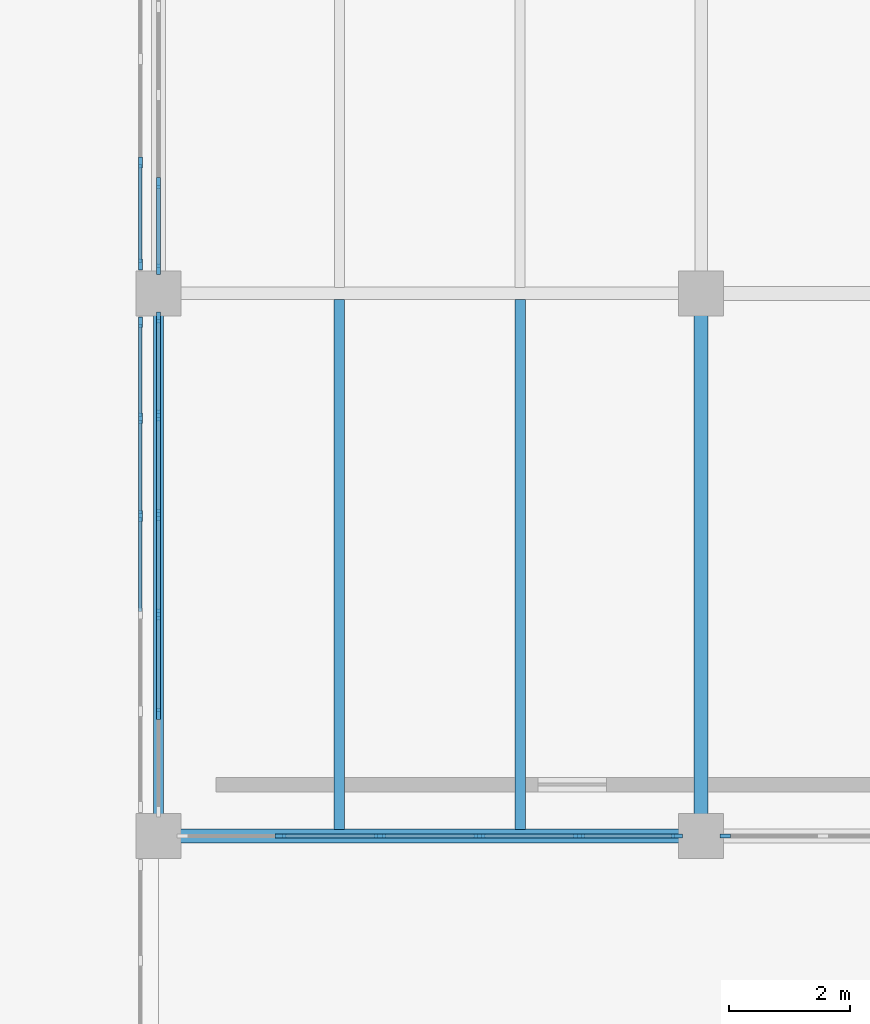
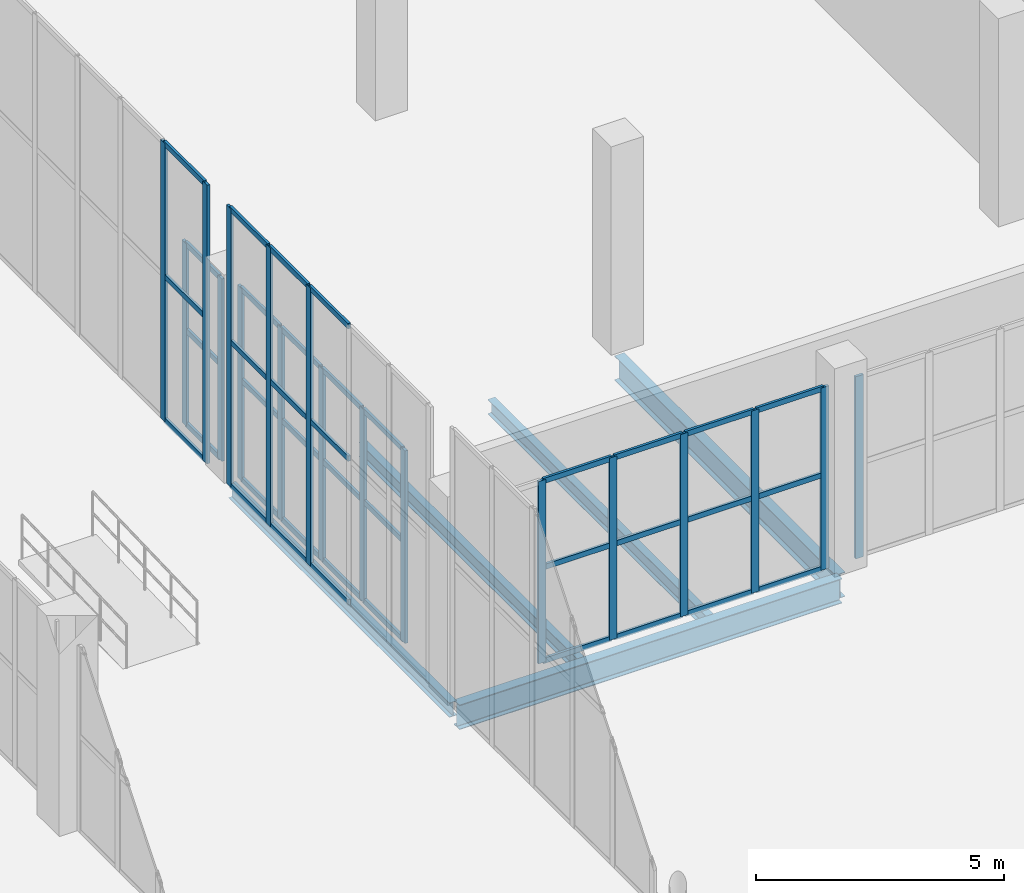
# One storey, part 52 of 103: 57 members, 5 beams, 6 elements without a shape of their own.
"""IFC4 building model written with IfcOpenShell, lengths in metres."""

from ifc_helpers import new_model, si_unit, direction, frame, origin, origin_2d, place, context, subcontext, project, spatial, rectangle, i_section, extrude, material, layer, layer_set, material_profile, profile_set, type_object, element, aggregate, save


model = new_model("IFC4")

# Units and contexts
model_context = context("Model", 3, precision=1e-05, world=origin(), true_north=direction((0.0, 1.0)))
body_context = subcontext(model_context, "Body", "Model", "MODEL_VIEW")
ifc_project = project(units=[si_unit("LENGTHUNIT", "METRE"), si_unit("AREAUNIT", "SQUARE_METRE"), si_unit("VOLUMEUNIT", "CUBIC_METRE"), si_unit("PLANEANGLEUNIT", "RADIAN"), si_unit("MASSUNIT", "GRAM", prefix="KILO")], contexts=[model_context])

# Site, building, storey
site_placement = place(None, origin())
site = spatial("IfcSite", under=ifc_project, at=site_placement, CompositionType="ELEMENT")
building_placement = place(site_placement, origin())
building = spatial("IfcBuilding", under=site, at=building_placement, Name="Marnock Terrace Opera House", CompositionType="ELEMENT")
storey_placement = place(building_placement, origin())
storey = spatial("IfcBuildingStorey", under=building, at=storey_placement, Name="L00", CompositionType="ELEMENT", Elevation=0.0)

# Beams
ifc_material_1 = material(Name="Steel Grade 350 (AS/NZS 3679.1)", Category="steel")
ifc_material_profile_1 = material_profile(ifc_material_1, i_section(OverallWidth=0.1708984375, OverallDepth=0.355712890625, WebThickness=0.00732421875, FlangeThickness=0.011474609375, FilletRadius=0.011474609375, at=origin_2d()))
ifc_profile_set_1 = profile_set([ifc_material_profile_1], Name="Steel Grade 350 (AS/NZS 3679.1)")
beam_type_1 = type_object("IfcBeamType", Name="BM-GIRD-360", PredefinedType="BEAM", material=ifc_profile_set_1)
beam_1_placement = place(storey_placement, frame((118.0, 66.050048828125, -0.477783203125), z_axis=(0.0, 1.0, 0.0), x_axis=(-1.0, 0.0, 0.0)))
element("IfcBeam", 1, at=beam_1_placement, inside=storey, type_object=beam_type_1, Name="L00 girder (X=118.0, 66.0..75.0)", PredefinedType="BEAM", context=body_context, shape_type="SweptSolid", body=[
    extrude(i_section(OverallWidth=0.1708984375, OverallDepth=0.355712890625, WebThickness=0.00732421875, FlangeThickness=0.011474609375, FilletRadius=0.011474609375, at=origin_2d()), origin(), (0.0, 0.0, 1.0), 8.89990234375),
])
ifc_material_profile_2 = material_profile(ifc_material_1, i_section(OverallWidth=0.22802734375, OverallDepth=0.60693359375, WebThickness=0.01123046875, FlangeThickness=0.017333984375, FilletRadius=0.013916015625, at=origin_2d()))
ifc_profile_set_2 = profile_set([ifc_material_profile_2], Name="Steel Grade 350 (AS/NZS 3679.1)")
beam_type_2 = type_object("IfcBeamType", Name="BM-GIRD-610B", PredefinedType="BEAM", material=ifc_profile_set_2)
beam_2_placement = place(storey_placement, frame((118.050048828125, 66.0, -0.603515625), z_axis=(1.0, 0.0, 0.0), x_axis=(0.0, 1.0, 0.0)))
element("IfcBeam", 2, at=beam_2_placement, inside=storey, type_object=beam_type_2, Name="L00 girder (118.0..127.0, Y=66.0)", PredefinedType="BEAM", context=body_context, shape_type="SweptSolid", body=[
    extrude(i_section(OverallWidth=0.22802734375, OverallDepth=0.60693359375, WebThickness=0.01123046875, FlangeThickness=0.017333984375, FilletRadius=0.013916015625, at=origin_2d()), origin(), (0.0, 0.0, 1.0), 8.89990234375),
])
ifc_material_profile_3 = material_profile(ifc_material_1, i_section(OverallWidth=0.22802734375, OverallDepth=0.60205078125, WebThickness=0.010498046875, FlangeThickness=0.014892578125, FilletRadius=0.013916015625, at=origin_2d()))
ifc_profile_set_3 = profile_set([ifc_material_profile_3], Name="Steel Grade 350 (AS/NZS 3679.1)")
beam_type_3 = type_object("IfcBeamType", Name="BM-GIRD-610C", PredefinedType="BEAM", material=ifc_profile_set_3)
beam_3_placement = place(storey_placement, frame((127.0, 66.050048828125, -0.60107421875), z_axis=(0.0, 1.0, 0.0), x_axis=(-1.0, 0.0, 0.0)))
element("IfcBeam", 3, at=beam_3_placement, inside=storey, type_object=beam_type_3, Name="L00 girder (X=127.0, 66.0..75.0)", PredefinedType="BEAM", context=body_context, shape_type="SweptSolid", body=[
    extrude(i_section(OverallWidth=0.22802734375, OverallDepth=0.60205078125, WebThickness=0.010498046875, FlangeThickness=0.014892578125, FilletRadius=0.013916015625, at=origin_2d()), origin(), (0.0, 0.0, 1.0), 8.89990234375),
])
ifc_material_profile_4 = material_profile(ifc_material_1, i_section(OverallWidth=0.172119140625, OverallDepth=0.358642578125, WebThickness=0.008056640625, FlangeThickness=0.012939453125, FilletRadius=0.011474609375, at=origin_2d()))
ifc_profile_set_4 = profile_set([ifc_material_profile_4], Name="Steel Grade 350 (AS/NZS 3679.1)")
beam_type_4 = type_object("IfcBeamType", Name="BM-JOIST-360", PredefinedType="JOIST", material=ifc_profile_set_4)
for number, where, z_axis, x_axis, name in (
    (4, (121.0, 66.10888671875, -0.479248046875), (0.0, 1.0, 0.0), (-1.0, 0.0, 0.0), "L00 secondary joist 13.8.1"),
    (5, (124.0, 66.10888671875, -0.479248046875), (0.0, 1.0, 0.0), (-1.0, 0.0, 0.0), "L00 secondary joist 13.8.2"),
):
    element("IfcBeam", number, at=place(storey_placement, frame(where, z_axis=z_axis, x_axis=x_axis)), inside=storey, type_object=beam_type_4, Name=name, PredefinedType="JOIST", context=body_context, shape_type="SweptSolid", body=[
        extrude(i_section(OverallWidth=0.172119140625, OverallDepth=0.358642578125, WebThickness=0.008056640625, FlangeThickness=0.012939453125, FilletRadius=0.011474609375, at=origin_2d()), origin(), (0.0, 0.0, 1.0), 8.79150390625),
    ])

# Curtain wall, members
ifc_material_2 = material(Name="Anodised architectural bronze aluminium framing", Category="aluminium")
ifc_layer_1 = layer(ifc_material_2, 0.159912109375)
ifc_layer_set_1 = layer_set([ifc_layer_1], Name="Anodised architectural bronze aluminium framing")
curtain_wall_type_1 = type_object("IfcCurtainWallType", Name="CW-LOGGIA-86x51", PredefinedType="NOTDEFINED", material=ifc_layer_set_1)
curtain_wall_1_placement = place(storey_placement, origin())
curtain_wall_1 = element("IfcCurtainWall", 6, at=curtain_wall_1_placement, inside=storey, type_object=curtain_wall_type_1, Name="L00 glazed Beaux-Arts colonnade curtain wall CW-V5-L00-CN1", PredefinedType="NOTDEFINED")
ifc_material_profile_5 = material_profile(ifc_material_2, rectangle(XDim=0.06494140625, YDim=0.179931640625, at=origin_2d()))
ifc_profile_set_5 = profile_set([ifc_material_profile_5], Name="Anodised architectural bronze aluminium framing")
member_type_1 = type_object("IfcMemberType", Name="CWM-65x180", PredefinedType="MULLION", material=ifc_profile_set_5)
member_1_placement = place(storey_placement, frame((120.022705078125, 66.0, 0.0), z_axis=(0.0, 0.0, 1.0), x_axis=(0.0, 1.0, 0.0)))
member_1 = element("IfcMember", 7, at=member_1_placement, type_object=member_type_1, Name="CW-96 mullion 2", PredefinedType="MULLION", context=body_context, shape_type="SweptSolid", body=[
    extrude(rectangle(XDim=0.06494140625, YDim=0.179931640625, at=origin_2d()), origin(), (0.0, 0.0, 1.0), 4.48291015625),
])
member_2_placement = place(storey_placement, frame((121.67431640625, 66.0, 0.0), z_axis=(0.0, 0.0, 1.0), x_axis=(0.0, 1.0, 0.0)))
member_2 = element("IfcMember", 8, at=member_2_placement, type_object=member_type_1, Name="CW-96 mullion 3", PredefinedType="MULLION", context=body_context, shape_type="SweptSolid", body=[
    extrude(rectangle(XDim=0.06494140625, YDim=0.179931640625, at=origin_2d()), origin(), (0.0, 0.0, 1.0), 4.48291015625),
])
member_3_placement = place(storey_placement, frame((123.32568359375, 66.0, 0.0), z_axis=(0.0, 0.0, 1.0), x_axis=(0.0, 1.0, 0.0)))
member_3 = element("IfcMember", 9, at=member_3_placement, type_object=member_type_1, Name="CW-96 mullion 4", PredefinedType="MULLION", context=body_context, shape_type="SweptSolid", body=[
    extrude(rectangle(XDim=0.06494140625, YDim=0.179931640625, at=origin_2d()), origin(), (0.0, 0.0, 1.0), 4.48291015625),
])
member_4_placement = place(storey_placement, frame((124.977294921875, 66.0, 0.0), z_axis=(0.0, 0.0, 1.0), x_axis=(0.0, 1.0, 0.0)))
member_4 = element("IfcMember", 10, at=member_4_placement, type_object=member_type_1, Name="CW-96 mullion 5", PredefinedType="MULLION", context=body_context, shape_type="SweptSolid", body=[
    extrude(rectangle(XDim=0.06494140625, YDim=0.179931640625, at=origin_2d()), origin(), (0.0, 0.0, 1.0), 4.48291015625),
])
member_5_placement = place(storey_placement, frame((126.59912109375, 66.0, 0.0), z_axis=(0.0, 0.0, 1.0), x_axis=(0.0, 1.0, 0.0)))
member_5 = element("IfcMember", 11, at=member_5_placement, type_object=member_type_1, Name="CW-96 mullion 6", PredefinedType="MULLION", context=body_context, shape_type="SweptSolid", body=[
    extrude(rectangle(XDim=0.06494140625, YDim=0.179931640625, at=origin_2d()), origin(), (0.0, 0.0, 1.0), 4.48291015625),
])

# Curtain wall, member
curtain_wall_2_placement = place(storey_placement, origin())
curtain_wall_2 = element("IfcCurtainWall", 12, at=curtain_wall_2_placement, inside=storey, type_object=curtain_wall_type_1, Name="L00 glazed Beaux-Arts colonnade curtain wall CW-V5-L00-CN2", PredefinedType="NOTDEFINED")
member_6_placement = place(storey_placement, frame((127.40087890625, 66.0, 0.0), z_axis=(0.0, 0.0, 1.0), x_axis=(0.0, 1.0, 0.0)))
member_6 = element("IfcMember", 13, at=member_6_placement, type_object=member_type_1, Name="CW-96 mullion 1", PredefinedType="MULLION", context=body_context, shape_type="SweptSolid", body=[
    extrude(rectangle(XDim=0.06494140625, YDim=0.179931640625, at=origin_2d()), origin(), (0.0, 0.0, 1.0), 4.478515625),
])
aggregate(curtain_wall_2, [member_6])

# Curtain wall, members
curtain_wall_3_placement = place(storey_placement, origin())
curtain_wall_3 = element("IfcCurtainWall", 14, at=curtain_wall_3_placement, inside=storey, type_object=curtain_wall_type_1, Name="L00 glazed Beaux-Arts colonnade curtain wall CW-V5-L00-W5", PredefinedType="NOTDEFINED")
member_7_placement = place(storey_placement, frame((118.0, 68.022705078125, 0.0), z_axis=(0.0, 0.0, 1.0), x_axis=(-1.0, 0.0, 0.0)))
member_7 = element("IfcMember", 15, at=member_7_placement, type_object=member_type_1, Name="CW-96 mullion 2", PredefinedType="MULLION", context=body_context, shape_type="SweptSolid", body=[
    extrude(rectangle(XDim=0.06494140625, YDim=0.179931640625, at=origin_2d()), origin(), (0.0, 0.0, 1.0), 4.734375),
])
member_8_placement = place(storey_placement, frame((118.0, 69.67431640625, 0.0), z_axis=(0.0, 0.0, 1.0), x_axis=(-1.0, 0.0, 0.0)))
member_8 = element("IfcMember", 16, at=member_8_placement, type_object=member_type_1, Name="CW-96 mullion 3", PredefinedType="MULLION", context=body_context, shape_type="SweptSolid", body=[
    extrude(rectangle(XDim=0.06494140625, YDim=0.179931640625, at=origin_2d()), origin(), (0.0, 0.0, 1.0), 4.734375),
])
member_9_placement = place(storey_placement, frame((118.0, 71.32568359375, 0.0), z_axis=(0.0, 0.0, 1.0), x_axis=(-1.0, 0.0, 0.0)))
member_9 = element("IfcMember", 17, at=member_9_placement, type_object=member_type_1, Name="CW-96 mullion 4", PredefinedType="MULLION", context=body_context, shape_type="SweptSolid", body=[
    extrude(rectangle(XDim=0.06494140625, YDim=0.179931640625, at=origin_2d()), origin(), (0.0, 0.0, 1.0), 4.734375),
])
member_10_placement = place(storey_placement, frame((118.0, 72.977294921875, 0.0), z_axis=(0.0, 0.0, 1.0), x_axis=(-1.0, 0.0, 0.0)))
member_10 = element("IfcMember", 18, at=member_10_placement, type_object=member_type_1, Name="CW-96 mullion 5", PredefinedType="MULLION", context=body_context, shape_type="SweptSolid", body=[
    extrude(rectangle(XDim=0.06494140625, YDim=0.179931640625, at=origin_2d()), origin(), (0.0, 0.0, 1.0), 4.734375),
])
member_11_placement = place(storey_placement, frame((118.0, 74.59912109375, 0.0), z_axis=(0.0, 0.0, 1.0), x_axis=(-1.0, 0.0, 0.0)))
member_11 = element("IfcMember", 19, at=member_11_placement, type_object=member_type_1, Name="CW-96 mullion 6", PredefinedType="MULLION", context=body_context, shape_type="SweptSolid", body=[
    extrude(rectangle(XDim=0.06494140625, YDim=0.179931640625, at=origin_2d()), origin(), (0.0, 0.0, 1.0), 4.734375),
])

ifc_layer_2 = layer(ifc_material_2, 0.159912109375)
ifc_layer_set_2 = layer_set([ifc_layer_2], Name="Anodised architectural bronze aluminium framing")
curtain_wall_type_2 = type_object("IfcCurtainWallType", Name="CW-FOYER-95x51", PredefinedType="NOTDEFINED", material=ifc_layer_set_2)
curtain_wall_4_placement = place(storey_placement, origin())
curtain_wall_4 = element("IfcCurtainWall", 20, at=curtain_wall_4_placement, inside=storey, type_object=curtain_wall_type_2, Name="L00 glazed Beaux-Arts colonnade curtain wall CW-V5-L00-W6", PredefinedType="NOTDEFINED")
member_12_placement = place(storey_placement, frame((118.0, 75.40087890625, 0.0), z_axis=(0.0, 0.0, 1.0), x_axis=(-1.0, 0.0, 0.0)))
member_12 = element("IfcMember", 21, at=member_12_placement, type_object=member_type_1, Name="CW-24 mullion 1", PredefinedType="MULLION", context=body_context, shape_type="SweptSolid", body=[
    extrude(rectangle(XDim=0.06494140625, YDim=0.179931640625, at=origin_2d()), origin(), (0.0, 0.0, 1.0), 4.488037109375),
])
member_13_placement = place(storey_placement, frame((118.0, 76.83056640625, 0.0), z_axis=(0.0, 0.0, 1.0), x_axis=(-1.0, 0.0, 0.0)))
member_13 = element("IfcMember", 22, at=member_13_placement, type_object=member_type_1, Name="CW-24 mullion 2", PredefinedType="MULLION", context=body_context, shape_type="SweptSolid", body=[
    extrude(rectangle(XDim=0.06494140625, YDim=0.179931640625, at=origin_2d()), origin(), (0.0, 0.0, 1.0), 4.488037109375),
])

ifc_layer_3 = layer(ifc_material_2, 0.159912109375)
ifc_layer_set_3 = layer_set([ifc_layer_3], Name="Anodised architectural bronze aluminium framing")
curtain_wall_type_3 = type_object("IfcCurtainWallType", Name="CW-PASSAGE-81x68", PredefinedType="NOTDEFINED", material=ifc_layer_set_3)
curtain_wall_5_placement = place(storey_placement, origin())
curtain_wall_5 = element("IfcCurtainWall", 23, at=curtain_wall_5_placement, inside=storey, type_object=curtain_wall_type_3, Name="L00 glazed Beaux-Arts colonnade curtain wall CW-PASSAGE-L00-08", PredefinedType="NOTDEFINED")
member_14_placement = place(storey_placement, frame((117.699951171875, 71.31005859375, 0.0), z_axis=(0.0, 0.0, 1.0), x_axis=(-1.0, 0.0, 0.0)))
member_14 = element("IfcMember", 24, at=member_14_placement, type_object=member_type_1, Name="CW-65 mullion 4", PredefinedType="MULLION", context=body_context, shape_type="SweptSolid", body=[
    extrude(rectangle(XDim=0.06494140625, YDim=0.179931640625, at=origin_2d()), origin(), (0.0, 0.0, 1.0), 6.85009765625),
])
member_15_placement = place(storey_placement, frame((117.699951171875, 72.929931640625, 0.0), z_axis=(0.0, 0.0, 1.0), x_axis=(-1.0, 0.0, 0.0)))
member_15 = element("IfcMember", 25, at=member_15_placement, type_object=member_type_1, Name="CW-65 mullion 5", PredefinedType="MULLION", context=body_context, shape_type="SweptSolid", body=[
    extrude(rectangle(XDim=0.06494140625, YDim=0.179931640625, at=origin_2d()), origin(), (0.0, 0.0, 1.0), 6.85009765625),
])
member_16_placement = place(storey_placement, frame((117.699951171875, 74.52001953125, 0.0), z_axis=(0.0, 0.0, 1.0), x_axis=(-1.0, 0.0, 0.0)))
member_16 = element("IfcMember", 26, at=member_16_placement, type_object=member_type_1, Name="CW-65 mullion 6", PredefinedType="MULLION", context=body_context, shape_type="SweptSolid", body=[
    extrude(rectangle(XDim=0.06494140625, YDim=0.179931640625, at=origin_2d()), origin(), (0.0, 0.0, 1.0), 6.85009765625),
])

curtain_wall_6_placement = place(storey_placement, origin())
curtain_wall_6 = element("IfcCurtainWall", 27, at=curtain_wall_6_placement, inside=storey, type_object=curtain_wall_type_3, Name="L00 glazed Beaux-Arts colonnade curtain wall CW-PASSAGE-L00-09", PredefinedType="NOTDEFINED")
member_17_placement = place(storey_placement, frame((117.699951171875, 75.47998046875, 0.0), z_axis=(0.0, 0.0, 1.0), x_axis=(-1.0, 0.0, 0.0)))
member_17 = element("IfcMember", 28, at=member_17_placement, type_object=member_type_1, Name="CW-65 mullion 1", PredefinedType="MULLION", context=body_context, shape_type="SweptSolid", body=[
    extrude(rectangle(XDim=0.06494140625, YDim=0.179931640625, at=origin_2d()), origin(), (0.0, 0.0, 1.0), 6.85009765625),
])
member_18_placement = place(storey_placement, frame((117.699951171875, 77.169921875, 0.0), z_axis=(0.0, 0.0, 1.0), x_axis=(-1.0, 0.0, 0.0)))
member_18 = element("IfcMember", 29, at=member_18_placement, type_object=member_type_1, Name="CW-65 mullion 2", PredefinedType="MULLION", context=body_context, shape_type="SweptSolid", body=[
    extrude(rectangle(XDim=0.06494140625, YDim=0.179931640625, at=origin_2d()), origin(), (0.0, 0.0, 1.0), 6.85009765625),
])

# Member
ifc_material_profile_6 = material_profile(ifc_material_2, rectangle(XDim=0.06005859375, YDim=0.1298828125, at=origin_2d()))
ifc_profile_set_6 = profile_set([ifc_material_profile_6], Name="Anodised architectural bronze aluminium framing")
member_type_2 = type_object("IfcMemberType", Name="CWT-60x130", PredefinedType="USERDEFINED", material=ifc_profile_set_6)
member_19_placement = place(storey_placement, frame((120.052490234375, 66.0, 0.030029296875), z_axis=(1.0, 0.0, 0.0), x_axis=(0.0, 1.0, 0.0)))
member_19 = element("IfcMember", 30, at=member_19_placement, type_object=member_type_2, Name="CW-96 transom 2.1", ObjectType="TRANSOM", PredefinedType="USERDEFINED", context=body_context, shape_type="SweptSolid", body=[
    extrude(rectangle(XDim=0.06005859375, YDim=0.1298828125, at=origin_2d()), origin(), (0.0, 0.0, 1.0), 1.591796875),
])

member_20_placement = place(storey_placement, frame((120.052490234375, 66.0, 2.331298828125), z_axis=(1.0, 0.0, 0.0), x_axis=(0.0, 1.0, 0.0)))
member_20 = element("IfcMember", 31, at=member_20_placement, type_object=member_type_2, Name="CW-96 transom 2.2", ObjectType="TRANSOM", PredefinedType="USERDEFINED", context=body_context, shape_type="SweptSolid", body=[
    extrude(rectangle(XDim=0.06005859375, YDim=0.1298828125, at=origin_2d()), origin(), (0.0, 0.0, 1.0), 1.591796875),
])

member_21_placement = place(storey_placement, frame((120.052490234375, 66.0, 4.452880859375), z_axis=(1.0, 0.0, 0.0), x_axis=(0.0, 1.0, 0.0)))
member_21 = element("IfcMember", 32, at=member_21_placement, type_object=member_type_2, Name="CW-96 transom 2.3", ObjectType="TRANSOM", PredefinedType="USERDEFINED", context=body_context, shape_type="SweptSolid", body=[
    extrude(rectangle(XDim=0.06005859375, YDim=0.1298828125, at=origin_2d()), origin(), (0.0, 0.0, 1.0), 1.591796875),
])

member_22_placement = place(storey_placement, frame((121.7041015625, 66.0, 0.030029296875), z_axis=(1.0, 0.0, 0.0), x_axis=(0.0, 1.0, 0.0)))
member_22 = element("IfcMember", 33, at=member_22_placement, type_object=member_type_2, Name="CW-96 transom 3.1", ObjectType="TRANSOM", PredefinedType="USERDEFINED", context=body_context, shape_type="SweptSolid", body=[
    extrude(rectangle(XDim=0.06005859375, YDim=0.1298828125, at=origin_2d()), origin(), (0.0, 0.0, 1.0), 1.591796875),
])

member_23_placement = place(storey_placement, frame((121.7041015625, 66.0, 2.331298828125), z_axis=(1.0, 0.0, 0.0), x_axis=(0.0, 1.0, 0.0)))
member_23 = element("IfcMember", 34, at=member_23_placement, type_object=member_type_2, Name="CW-96 transom 3.2", ObjectType="TRANSOM", PredefinedType="USERDEFINED", context=body_context, shape_type="SweptSolid", body=[
    extrude(rectangle(XDim=0.06005859375, YDim=0.1298828125, at=origin_2d()), origin(), (0.0, 0.0, 1.0), 1.591796875),
])

member_24_placement = place(storey_placement, frame((121.7041015625, 66.0, 4.452880859375), z_axis=(1.0, 0.0, 0.0), x_axis=(0.0, 1.0, 0.0)))
member_24 = element("IfcMember", 35, at=member_24_placement, type_object=member_type_2, Name="CW-96 transom 3.3", ObjectType="TRANSOM", PredefinedType="USERDEFINED", context=body_context, shape_type="SweptSolid", body=[
    extrude(rectangle(XDim=0.06005859375, YDim=0.1298828125, at=origin_2d()), origin(), (0.0, 0.0, 1.0), 1.591796875),
])

member_25_placement = place(storey_placement, frame((123.355712890625, 66.0, 0.030029296875), z_axis=(1.0, 0.0, 0.0), x_axis=(0.0, 1.0, 0.0)))
member_25 = element("IfcMember", 36, at=member_25_placement, type_object=member_type_2, Name="CW-96 transom 4.1", ObjectType="TRANSOM", PredefinedType="USERDEFINED", context=body_context, shape_type="SweptSolid", body=[
    extrude(rectangle(XDim=0.06005859375, YDim=0.1298828125, at=origin_2d()), origin(), (0.0, 0.0, 1.0), 1.591796875),
])

member_26_placement = place(storey_placement, frame((123.355712890625, 66.0, 2.331298828125), z_axis=(1.0, 0.0, 0.0), x_axis=(0.0, 1.0, 0.0)))
member_26 = element("IfcMember", 37, at=member_26_placement, type_object=member_type_2, Name="CW-96 transom 4.2", ObjectType="TRANSOM", PredefinedType="USERDEFINED", context=body_context, shape_type="SweptSolid", body=[
    extrude(rectangle(XDim=0.06005859375, YDim=0.1298828125, at=origin_2d()), origin(), (0.0, 0.0, 1.0), 1.591796875),
])

member_27_placement = place(storey_placement, frame((123.355712890625, 66.0, 4.452880859375), z_axis=(1.0, 0.0, 0.0), x_axis=(0.0, 1.0, 0.0)))
member_27 = element("IfcMember", 38, at=member_27_placement, type_object=member_type_2, Name="CW-96 transom 4.3", ObjectType="TRANSOM", PredefinedType="USERDEFINED", context=body_context, shape_type="SweptSolid", body=[
    extrude(rectangle(XDim=0.06005859375, YDim=0.1298828125, at=origin_2d()), origin(), (0.0, 0.0, 1.0), 1.591796875),
])

member_28_placement = place(storey_placement, frame((125.00732421875, 66.0, 0.030029296875), z_axis=(1.0, 0.0, 0.0), x_axis=(0.0, 1.0, 0.0)))
member_28 = element("IfcMember", 39, at=member_28_placement, type_object=member_type_2, Name="CW-96 transom 5.1", ObjectType="TRANSOM", PredefinedType="USERDEFINED", context=body_context, shape_type="SweptSolid", body=[
    extrude(rectangle(XDim=0.06005859375, YDim=0.1298828125, at=origin_2d()), origin(), (0.0, 0.0, 1.0), 1.561767578125),
])

member_29_placement = place(storey_placement, frame((125.00732421875, 66.0, 2.331298828125), z_axis=(1.0, 0.0, 0.0), x_axis=(0.0, 1.0, 0.0)))
member_29 = element("IfcMember", 40, at=member_29_placement, type_object=member_type_2, Name="CW-96 transom 5.2", ObjectType="TRANSOM", PredefinedType="USERDEFINED", context=body_context, shape_type="SweptSolid", body=[
    extrude(rectangle(XDim=0.06005859375, YDim=0.1298828125, at=origin_2d()), origin(), (0.0, 0.0, 1.0), 1.561767578125),
])

member_30_placement = place(storey_placement, frame((125.00732421875, 66.0, 4.452880859375), z_axis=(1.0, 0.0, 0.0), x_axis=(0.0, 1.0, 0.0)))
member_30 = element("IfcMember", 41, at=member_30_placement, type_object=member_type_2, Name="CW-96 transom 5.3", ObjectType="TRANSOM", PredefinedType="USERDEFINED", context=body_context, shape_type="SweptSolid", body=[
    extrude(rectangle(XDim=0.06005859375, YDim=0.1298828125, at=origin_2d()), origin(), (0.0, 0.0, 1.0), 1.561767578125),
])

aggregate(curtain_wall_1, [member_1, member_2, member_3, member_4, member_5, member_19, member_20, member_21, member_22, member_23, member_24, member_25, member_26, member_27, member_28, member_29, member_30])

member_31_placement = place(storey_placement, frame((118.0, 68.052490234375, 0.030029296875), z_axis=(0.0, 1.0, 0.0), x_axis=(-1.0, 0.0, 0.0)))
member_31 = element("IfcMember", 42, at=member_31_placement, type_object=member_type_2, Name="CW-96 transom 2.1", ObjectType="TRANSOM", PredefinedType="USERDEFINED", context=body_context, shape_type="SweptSolid", body=[
    extrude(rectangle(XDim=0.06005859375, YDim=0.1298828125, at=origin_2d()), origin(), (0.0, 0.0, 1.0), 1.591796875),
])

member_32_placement = place(storey_placement, frame((118.0, 68.052490234375, 2.4619140625), z_axis=(0.0, 1.0, 0.0), x_axis=(-1.0, 0.0, 0.0)))
member_32 = element("IfcMember", 43, at=member_32_placement, type_object=member_type_2, Name="CW-96 transom 2.2", ObjectType="TRANSOM", PredefinedType="USERDEFINED", context=body_context, shape_type="SweptSolid", body=[
    extrude(rectangle(XDim=0.06005859375, YDim=0.1298828125, at=origin_2d()), origin(), (0.0, 0.0, 1.0), 1.591796875),
])

member_33_placement = place(storey_placement, frame((118.0, 68.052490234375, 4.704345703125), z_axis=(0.0, 1.0, 0.0), x_axis=(-1.0, 0.0, 0.0)))
member_33 = element("IfcMember", 44, at=member_33_placement, type_object=member_type_2, Name="CW-96 transom 2.3", ObjectType="TRANSOM", PredefinedType="USERDEFINED", context=body_context, shape_type="SweptSolid", body=[
    extrude(rectangle(XDim=0.06005859375, YDim=0.1298828125, at=origin_2d()), origin(), (0.0, 0.0, 1.0), 1.591796875),
])

member_34_placement = place(storey_placement, frame((118.0, 69.7041015625, 0.030029296875), z_axis=(0.0, 1.0, 0.0), x_axis=(-1.0, 0.0, 0.0)))
member_34 = element("IfcMember", 45, at=member_34_placement, type_object=member_type_2, Name="CW-96 transom 3.1", ObjectType="TRANSOM", PredefinedType="USERDEFINED", context=body_context, shape_type="SweptSolid", body=[
    extrude(rectangle(XDim=0.06005859375, YDim=0.1298828125, at=origin_2d()), origin(), (0.0, 0.0, 1.0), 1.591796875),
])

member_35_placement = place(storey_placement, frame((118.0, 69.7041015625, 2.4619140625), z_axis=(0.0, 1.0, 0.0), x_axis=(-1.0, 0.0, 0.0)))
member_35 = element("IfcMember", 46, at=member_35_placement, type_object=member_type_2, Name="CW-96 transom 3.2", ObjectType="TRANSOM", PredefinedType="USERDEFINED", context=body_context, shape_type="SweptSolid", body=[
    extrude(rectangle(XDim=0.06005859375, YDim=0.1298828125, at=origin_2d()), origin(), (0.0, 0.0, 1.0), 1.591796875),
])

member_36_placement = place(storey_placement, frame((118.0, 69.7041015625, 4.704345703125), z_axis=(0.0, 1.0, 0.0), x_axis=(-1.0, 0.0, 0.0)))
member_36 = element("IfcMember", 47, at=member_36_placement, type_object=member_type_2, Name="CW-96 transom 3.3", ObjectType="TRANSOM", PredefinedType="USERDEFINED", context=body_context, shape_type="SweptSolid", body=[
    extrude(rectangle(XDim=0.06005859375, YDim=0.1298828125, at=origin_2d()), origin(), (0.0, 0.0, 1.0), 1.591796875),
])

member_37_placement = place(storey_placement, frame((118.0, 71.355712890625, 0.030029296875), z_axis=(0.0, 1.0, 0.0), x_axis=(-1.0, 0.0, 0.0)))
member_37 = element("IfcMember", 48, at=member_37_placement, type_object=member_type_2, Name="CW-96 transom 4.1", ObjectType="TRANSOM", PredefinedType="USERDEFINED", context=body_context, shape_type="SweptSolid", body=[
    extrude(rectangle(XDim=0.06005859375, YDim=0.1298828125, at=origin_2d()), origin(), (0.0, 0.0, 1.0), 1.591796875),
])

member_38_placement = place(storey_placement, frame((118.0, 71.355712890625, 2.4619140625), z_axis=(0.0, 1.0, 0.0), x_axis=(-1.0, 0.0, 0.0)))
member_38 = element("IfcMember", 49, at=member_38_placement, type_object=member_type_2, Name="CW-96 transom 4.2", ObjectType="TRANSOM", PredefinedType="USERDEFINED", context=body_context, shape_type="SweptSolid", body=[
    extrude(rectangle(XDim=0.06005859375, YDim=0.1298828125, at=origin_2d()), origin(), (0.0, 0.0, 1.0), 1.591796875),
])

member_39_placement = place(storey_placement, frame((118.0, 71.355712890625, 4.704345703125), z_axis=(0.0, 1.0, 0.0), x_axis=(-1.0, 0.0, 0.0)))
member_39 = element("IfcMember", 50, at=member_39_placement, type_object=member_type_2, Name="CW-96 transom 4.3", ObjectType="TRANSOM", PredefinedType="USERDEFINED", context=body_context, shape_type="SweptSolid", body=[
    extrude(rectangle(XDim=0.06005859375, YDim=0.1298828125, at=origin_2d()), origin(), (0.0, 0.0, 1.0), 1.591796875),
])

member_40_placement = place(storey_placement, frame((118.0, 73.00732421875, 0.030029296875), z_axis=(0.0, 1.0, 0.0), x_axis=(-1.0, 0.0, 0.0)))
member_40 = element("IfcMember", 51, at=member_40_placement, type_object=member_type_2, Name="CW-96 transom 5.1", ObjectType="TRANSOM", PredefinedType="USERDEFINED", context=body_context, shape_type="SweptSolid", body=[
    extrude(rectangle(XDim=0.06005859375, YDim=0.1298828125, at=origin_2d()), origin(), (0.0, 0.0, 1.0), 1.561767578125),
])

member_41_placement = place(storey_placement, frame((118.0, 73.00732421875, 2.4619140625), z_axis=(0.0, 1.0, 0.0), x_axis=(-1.0, 0.0, 0.0)))
member_41 = element("IfcMember", 52, at=member_41_placement, type_object=member_type_2, Name="CW-96 transom 5.2", ObjectType="TRANSOM", PredefinedType="USERDEFINED", context=body_context, shape_type="SweptSolid", body=[
    extrude(rectangle(XDim=0.06005859375, YDim=0.1298828125, at=origin_2d()), origin(), (0.0, 0.0, 1.0), 1.561767578125),
])

member_42_placement = place(storey_placement, frame((118.0, 73.00732421875, 4.704345703125), z_axis=(0.0, 1.0, 0.0), x_axis=(-1.0, 0.0, 0.0)))
member_42 = element("IfcMember", 53, at=member_42_placement, type_object=member_type_2, Name="CW-96 transom 5.3", ObjectType="TRANSOM", PredefinedType="USERDEFINED", context=body_context, shape_type="SweptSolid", body=[
    extrude(rectangle(XDim=0.06005859375, YDim=0.1298828125, at=origin_2d()), origin(), (0.0, 0.0, 1.0), 1.561767578125),
])

aggregate(curtain_wall_3, [member_7, member_8, member_9, member_10, member_11, member_31, member_32, member_33, member_34, member_35, member_36, member_37, member_38, member_39, member_40, member_41, member_42])

member_43_placement = place(storey_placement, frame((118.0, 75.430908203125, 0.030029296875), z_axis=(0.0, 1.0, 0.0), x_axis=(-1.0, 0.0, 0.0)))
member_43 = element("IfcMember", 54, at=member_43_placement, type_object=member_type_2, Name="CW-24 transom 1.1", ObjectType="TRANSOM", PredefinedType="USERDEFINED", context=body_context, shape_type="SweptSolid", body=[
    extrude(rectangle(XDim=0.06005859375, YDim=0.1298828125, at=origin_2d()), origin(), (0.0, 0.0, 1.0), 1.369873046875),
])

member_44_placement = place(storey_placement, frame((118.0, 75.430908203125, 2.333740234375), z_axis=(0.0, 1.0, 0.0), x_axis=(-1.0, 0.0, 0.0)))
member_44 = element("IfcMember", 55, at=member_44_placement, type_object=member_type_2, Name="CW-24 transom 1.2", ObjectType="TRANSOM", PredefinedType="USERDEFINED", context=body_context, shape_type="SweptSolid", body=[
    extrude(rectangle(XDim=0.06005859375, YDim=0.1298828125, at=origin_2d()), origin(), (0.0, 0.0, 1.0), 1.369873046875),
])

member_45_placement = place(storey_placement, frame((118.0, 75.430908203125, 4.4580078125), z_axis=(0.0, 1.0, 0.0), x_axis=(-1.0, 0.0, 0.0)))
member_45 = element("IfcMember", 56, at=member_45_placement, type_object=member_type_2, Name="CW-24 transom 1.3", ObjectType="TRANSOM", PredefinedType="USERDEFINED", context=body_context, shape_type="SweptSolid", body=[
    extrude(rectangle(XDim=0.06005859375, YDim=0.1298828125, at=origin_2d()), origin(), (0.0, 0.0, 1.0), 1.369873046875),
])

aggregate(curtain_wall_4, [member_12, member_13, member_43, member_44, member_45])

member_46_placement = place(storey_placement, frame((117.699951171875, 69.719970703125, 0.030029296875), z_axis=(0.0, 1.0, 0.0), x_axis=(-1.0, 0.0, 0.0)))
member_46 = element("IfcMember", 57, at=member_46_placement, type_object=member_type_2, Name="CW-65 transom 3.1", ObjectType="TRANSOM", PredefinedType="USERDEFINED", context=body_context, shape_type="SweptSolid", body=[
    extrude(rectangle(XDim=0.06005859375, YDim=0.1298828125, at=origin_2d()), origin(), (0.0, 0.0, 1.0), 1.56005859375),
])

member_47_placement = place(storey_placement, frame((117.699951171875, 69.719970703125, 3.56201171875), z_axis=(0.0, 1.0, 0.0), x_axis=(-1.0, 0.0, 0.0)))
member_47 = element("IfcMember", 58, at=member_47_placement, type_object=member_type_2, Name="CW-65 transom 3.2", ObjectType="TRANSOM", PredefinedType="USERDEFINED", context=body_context, shape_type="SweptSolid", body=[
    extrude(rectangle(XDim=0.06005859375, YDim=0.1298828125, at=origin_2d()), origin(), (0.0, 0.0, 1.0), 1.56005859375),
])

member_48_placement = place(storey_placement, frame((117.699951171875, 69.719970703125, 6.820068359375), z_axis=(0.0, 1.0, 0.0), x_axis=(-1.0, 0.0, 0.0)))
member_48 = element("IfcMember", 59, at=member_48_placement, type_object=member_type_2, Name="CW-65 transom 3.3", ObjectType="TRANSOM", PredefinedType="USERDEFINED", context=body_context, shape_type="SweptSolid", body=[
    extrude(rectangle(XDim=0.06005859375, YDim=0.1298828125, at=origin_2d()), origin(), (0.0, 0.0, 1.0), 1.56005859375),
])

member_49_placement = place(storey_placement, frame((117.699951171875, 71.340087890625, 0.030029296875), z_axis=(0.0, 1.0, 0.0), x_axis=(-1.0, 0.0, 0.0)))
member_49 = element("IfcMember", 60, at=member_49_placement, type_object=member_type_2, Name="CW-65 transom 4.1", ObjectType="TRANSOM", PredefinedType="USERDEFINED", context=body_context, shape_type="SweptSolid", body=[
    extrude(rectangle(XDim=0.06005859375, YDim=0.1298828125, at=origin_2d()), origin(), (0.0, 0.0, 1.0), 1.559814453125),
])

member_50_placement = place(storey_placement, frame((117.699951171875, 71.340087890625, 3.56201171875), z_axis=(0.0, 1.0, 0.0), x_axis=(-1.0, 0.0, 0.0)))
member_50 = element("IfcMember", 61, at=member_50_placement, type_object=member_type_2, Name="CW-65 transom 4.2", ObjectType="TRANSOM", PredefinedType="USERDEFINED", context=body_context, shape_type="SweptSolid", body=[
    extrude(rectangle(XDim=0.06005859375, YDim=0.1298828125, at=origin_2d()), origin(), (0.0, 0.0, 1.0), 1.559814453125),
])

member_51_placement = place(storey_placement, frame((117.699951171875, 71.340087890625, 6.820068359375), z_axis=(0.0, 1.0, 0.0), x_axis=(-1.0, 0.0, 0.0)))
member_51 = element("IfcMember", 62, at=member_51_placement, type_object=member_type_2, Name="CW-65 transom 4.3", ObjectType="TRANSOM", PredefinedType="USERDEFINED", context=body_context, shape_type="SweptSolid", body=[
    extrude(rectangle(XDim=0.06005859375, YDim=0.1298828125, at=origin_2d()), origin(), (0.0, 0.0, 1.0), 1.559814453125),
])

member_52_placement = place(storey_placement, frame((117.699951171875, 72.9599609375, 0.030029296875), z_axis=(0.0, 1.0, 0.0), x_axis=(-1.0, 0.0, 0.0)))
member_52 = element("IfcMember", 63, at=member_52_placement, type_object=member_type_2, Name="CW-65 transom 5.1", ObjectType="TRANSOM", PredefinedType="USERDEFINED", context=body_context, shape_type="SweptSolid", body=[
    extrude(rectangle(XDim=0.06005859375, YDim=0.1298828125, at=origin_2d()), origin(), (0.0, 0.0, 1.0), 1.530029296875),
])

member_53_placement = place(storey_placement, frame((117.699951171875, 72.9599609375, 3.56201171875), z_axis=(0.0, 1.0, 0.0), x_axis=(-1.0, 0.0, 0.0)))
member_53 = element("IfcMember", 64, at=member_53_placement, type_object=member_type_2, Name="CW-65 transom 5.2", ObjectType="TRANSOM", PredefinedType="USERDEFINED", context=body_context, shape_type="SweptSolid", body=[
    extrude(rectangle(XDim=0.06005859375, YDim=0.1298828125, at=origin_2d()), origin(), (0.0, 0.0, 1.0), 1.530029296875),
])

member_54_placement = place(storey_placement, frame((117.699951171875, 72.9599609375, 6.820068359375), z_axis=(0.0, 1.0, 0.0), x_axis=(-1.0, 0.0, 0.0)))
member_54 = element("IfcMember", 65, at=member_54_placement, type_object=member_type_2, Name="CW-65 transom 5.3", ObjectType="TRANSOM", PredefinedType="USERDEFINED", context=body_context, shape_type="SweptSolid", body=[
    extrude(rectangle(XDim=0.06005859375, YDim=0.1298828125, at=origin_2d()), origin(), (0.0, 0.0, 1.0), 1.530029296875),
])

aggregate(curtain_wall_5, [member_14, member_15, member_16, member_46, member_47, member_48, member_49, member_50, member_51, member_52, member_53, member_54])

member_55_placement = place(storey_placement, frame((117.699951171875, 75.510009765625, 0.030029296875), z_axis=(0.0, 1.0, 0.0), x_axis=(-1.0, 0.0, 0.0)))
member_55 = element("IfcMember", 66, at=member_55_placement, type_object=member_type_2, Name="CW-65 transom 1.1", ObjectType="TRANSOM", PredefinedType="USERDEFINED", context=body_context, shape_type="SweptSolid", body=[
    extrude(rectangle(XDim=0.06005859375, YDim=0.1298828125, at=origin_2d()), origin(), (0.0, 0.0, 1.0), 1.6298828125),
])

member_56_placement = place(storey_placement, frame((117.699951171875, 75.510009765625, 3.56201171875), z_axis=(0.0, 1.0, 0.0), x_axis=(-1.0, 0.0, 0.0)))
member_56 = element("IfcMember", 67, at=member_56_placement, type_object=member_type_2, Name="CW-65 transom 1.2", ObjectType="TRANSOM", PredefinedType="USERDEFINED", context=body_context, shape_type="SweptSolid", body=[
    extrude(rectangle(XDim=0.06005859375, YDim=0.1298828125, at=origin_2d()), origin(), (0.0, 0.0, 1.0), 1.6298828125),
])

member_57_placement = place(storey_placement, frame((117.699951171875, 75.510009765625, 6.820068359375), z_axis=(0.0, 1.0, 0.0), x_axis=(-1.0, 0.0, 0.0)))
member_57 = element("IfcMember", 68, at=member_57_placement, type_object=member_type_2, Name="CW-65 transom 1.3", ObjectType="TRANSOM", PredefinedType="USERDEFINED", context=body_context, shape_type="SweptSolid", body=[
    extrude(rectangle(XDim=0.06005859375, YDim=0.1298828125, at=origin_2d()), origin(), (0.0, 0.0, 1.0), 1.6298828125),
])

aggregate(curtain_wall_6, [member_17, member_18, member_55, member_56, member_57])

save(model, "model.ifc")
